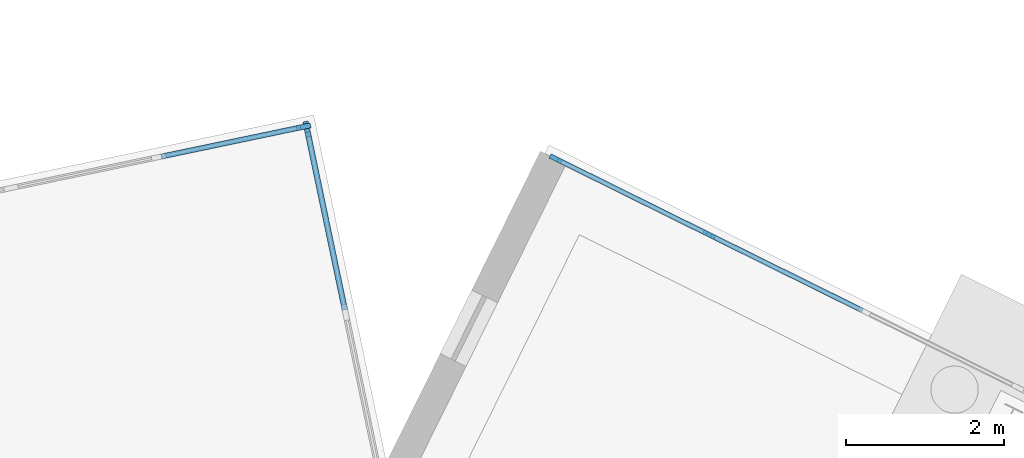
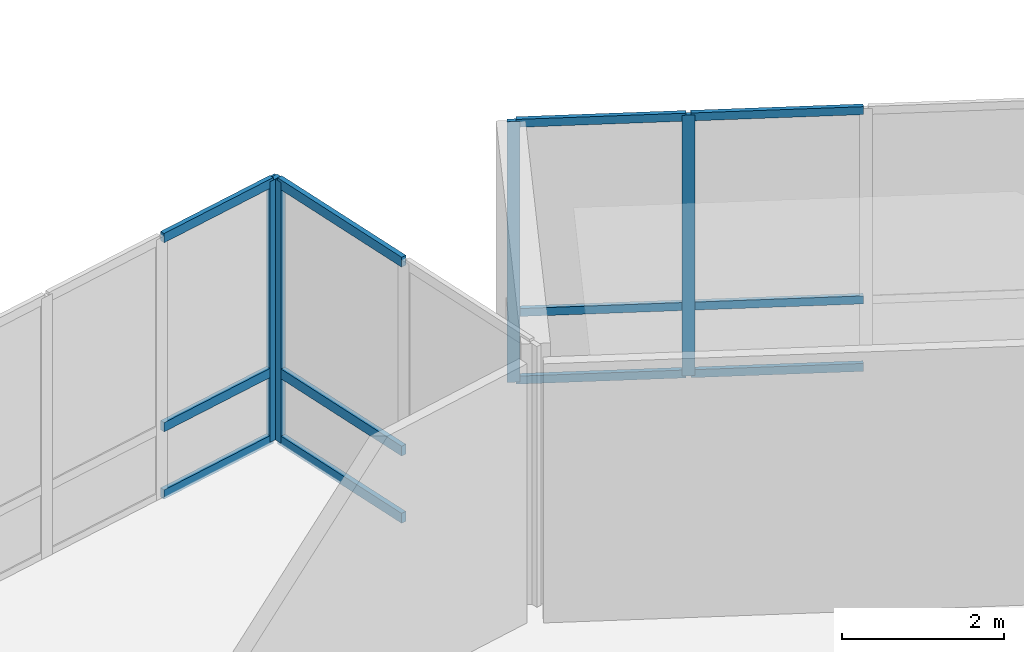
# One storey, part 50 of 113: 16 members, 3 elements without a shape of their own.
"""IFC4 building model written with IfcOpenShell, lengths in metres."""

from ifc_helpers import new_model, si_unit, direction, frame, origin, origin_2d, place, context, subcontext, project, spatial, rectangle, extrude, material, material_profile, profile_set, type_object, element, aggregate, save


model = new_model("IFC4")

# Units and contexts
model_context = context("Model", 3, precision=1e-05, world=origin(), true_north=direction((0.0, 1.0)))
body_context = subcontext(model_context, "Body", "Model", "MODEL_VIEW")
ifc_project = project(units=[si_unit("LENGTHUNIT", "METRE"), si_unit("AREAUNIT", "SQUARE_METRE"), si_unit("VOLUMEUNIT", "CUBIC_METRE"), si_unit("PLANEANGLEUNIT", "RADIAN"), si_unit("MASSUNIT", "GRAM", prefix="KILO")], contexts=[model_context])

# Site, building, storey
site_placement = place(None, origin())
site = spatial("IfcSite", under=ifc_project, at=site_placement, CompositionType="ELEMENT")
building_placement = place(site_placement, origin())
building = spatial("IfcBuilding", under=site, at=building_placement, Name="Wrenclough Park School", CompositionType="ELEMENT")
storey_placement = place(building_placement, origin())
storey = spatial("IfcBuildingStorey", under=building, at=storey_placement, Name="L00", CompositionType="ELEMENT", Elevation=0.0)

# Curtain wall, members
ifc_material_1 = material(Name="Thermally broken aluminium and low-e glass curtain wall", Category="aluminium")
curtain_wall_type_1 = type_object("IfcCurtainWallType", Name="ENV-CW-03", PredefinedType="USERDEFINED", material=ifc_material_1)
curtain_wall_1_placement = place(storey_placement, origin())
curtain_wall_1 = element("IfcCurtainWall", 1, at=curtain_wall_1_placement, inside=storey, type_object=curtain_wall_type_1, Name="L00 recessed curtain wall assembly 018", ObjectType="CURTAIN WALL", PredefinedType="USERDEFINED")
ifc_material_2 = material(Name="Thermally broken anodised aluminium", Category="aluminium")
ifc_material_profile_1 = material_profile(ifc_material_2, rectangle(XDim=0.06005859375, YDim=0.159912109375, at=origin_2d()), Name="AL MULLION 60x160")
ifc_profile_set_1 = profile_set([ifc_material_profile_1], Name="Thermally broken anodised aluminium")
member_type_1 = type_object("IfcMemberType", Name="ENV-CWM-1", PredefinedType="MULLION", material=ifc_profile_set_1)
member_1_placement = place(storey_placement, frame((128.125, 121.44677734375, 0.0), z_axis=(0.0, 0.0, 1.0), x_axis=(0.443511318294, 0.896268771377, 0.0)))
member_1 = element("IfcMember", 2, at=member_1_placement, type_object=member_type_1, Name="CW-03 mullion 1", PredefinedType="MULLION", context=body_context, shape_type="SweptSolid", body=[
    extrude(rectangle(XDim=0.06005859375, YDim=0.159912109375, at=origin_2d()), origin(), (0.0, 0.0, 1.0), 3.93994140625),
])
member_2_placement = place(storey_placement, frame((130.069091796875, 120.48486328125, 0.0), z_axis=(0.0, 0.0, 1.0), x_axis=(0.443511318294, 0.896268771377, 0.0)))
member_2 = element("IfcMember", 3, at=member_2_placement, type_object=member_type_1, Name="CW-03 mullion 2", PredefinedType="MULLION", context=body_context, shape_type="SweptSolid", body=[
    extrude(rectangle(XDim=0.06005859375, YDim=0.159912109375, at=origin_2d()), origin(), (0.0, 0.0, 1.0), 3.93994140625),
])

# Curtain wall, member
curtain_wall_type_2 = type_object("IfcCurtainWallType", Name="ENV-CW-01", PredefinedType="USERDEFINED", material=ifc_material_1)
curtain_wall_2_placement = place(storey_placement, origin())
curtain_wall_2 = element("IfcCurtainWall", 4, at=curtain_wall_2_placement, inside=storey, type_object=curtain_wall_type_2, Name="L00 recessed curtain wall assembly 016", ObjectType="CURTAIN WALL", PredefinedType="USERDEFINED")
ifc_material_profile_2 = material_profile(ifc_material_2, rectangle(XDim=0.06494140625, YDim=0.179931640625, at=origin_2d()), Name="AL MULLION 65x180")
ifc_profile_set_2 = profile_set([ifc_material_profile_2], Name="Thermally broken anodised aluminium")
member_type_2 = type_object("IfcMemberType", Name="ENV-CWM-2", PredefinedType="MULLION", material=ifc_profile_set_2)
member_3_placement = place(storey_placement, frame((124.928955078125, 121.852783203125, 0.0), z_axis=(0.0, 0.0, 1.0), x_axis=(-0.204871023923, 0.978788978052, 0.0)))
member_3 = element("IfcMember", 5, at=member_3_placement, type_object=member_type_2, Name="CW-01 mullion 5", PredefinedType="MULLION", context=body_context, shape_type="SweptSolid", body=[
    extrude(rectangle(XDim=0.06494140625, YDim=0.179931640625, at=origin_2d()), origin(), (0.0, 0.0, 1.0), 3.93994140625),
])

curtain_wall_type_3 = type_object("IfcCurtainWallType", Name="ENV-CW-02", PredefinedType="USERDEFINED", material=ifc_material_1)
curtain_wall_3_placement = place(storey_placement, origin())
curtain_wall_3 = element("IfcCurtainWall", 6, at=curtain_wall_3_placement, inside=storey, type_object=curtain_wall_type_3, Name="L00 recessed curtain wall assembly 017", ObjectType="CURTAIN WALL", PredefinedType="USERDEFINED")
ifc_material_profile_3 = material_profile(ifc_material_2, rectangle(XDim=0.070068359375, YDim=0.199951171875, at=origin_2d()), Name="AL MULLION 70x200")
ifc_profile_set_3 = profile_set([ifc_material_profile_3], Name="Thermally broken anodised aluminium")
member_type_3 = type_object("IfcMemberType", Name="ENV-CWM-3", PredefinedType="MULLION", material=ifc_profile_set_3)
member_4_placement = place(storey_placement, frame((124.97265625, 121.822021484375, 0.0), z_axis=(0.0, 0.0, 1.0), x_axis=(0.978788883451, 0.20487147589, 0.0)))
member_4 = element("IfcMember", 7, at=member_4_placement, type_object=member_type_3, Name="CW-02 mullion 1", PredefinedType="MULLION", context=body_context, shape_type="SweptSolid", body=[
    extrude(rectangle(XDim=0.070068359375, YDim=0.199951171875, at=origin_2d()), origin(), (0.0, 0.0, 1.0), 3.93994140625),
])

# Member
ifc_material_profile_4 = material_profile(ifc_material_2, rectangle(XDim=0.06005859375, YDim=0.1201171875, at=origin_2d()), Name="AL TRANSOM 60x120")
ifc_profile_set_4 = profile_set([ifc_material_profile_4], Name="Thermally broken anodised aluminium")
member_type_4 = type_object("IfcMemberType", Name="ENV-CWT-1", PredefinedType="USERDEFINED", material=ifc_profile_set_4)
member_5_placement = place(storey_placement, frame((128.15185546875, 121.43359375, 0.030029296875), z_axis=(0.896294566323, -0.443459186825, 0.0), x_axis=(0.443459186825, 0.896294566323, 0.0)))
member_5 = element("IfcMember", 8, at=member_5_placement, type_object=member_type_4, Name="CW-03 transom 1.1", ObjectType="TRANSOM", PredefinedType="USERDEFINED", context=body_context, shape_type="SweptSolid", body=[
    extrude(rectangle(XDim=0.06005859375, YDim=0.1201171875, at=origin_2d()), origin(), (0.0, 0.0, 1.0), 2.109130859375),
])

member_6_placement = place(storey_placement, frame((128.15185546875, 121.43359375, 1.050048828125), z_axis=(0.896294566323, -0.443459186825, 0.0), x_axis=(0.443459186825, 0.896294566323, 0.0)))
member_6 = element("IfcMember", 9, at=member_6_placement, type_object=member_type_4, Name="CW-03 transom 1.2", ObjectType="TRANSOM", PredefinedType="USERDEFINED", context=body_context, shape_type="SweptSolid", body=[
    extrude(rectangle(XDim=0.06005859375, YDim=0.1201171875, at=origin_2d()), origin(), (0.0, 0.0, 1.0), 2.109130859375),
])

member_7_placement = place(storey_placement, frame((128.15185546875, 121.43359375, 3.909912109375), z_axis=(0.896294566323, -0.443459186825, 0.0), x_axis=(0.443459186825, 0.896294566323, 0.0)))
member_7 = element("IfcMember", 10, at=member_7_placement, type_object=member_type_4, Name="CW-03 transom 1.3", ObjectType="TRANSOM", PredefinedType="USERDEFINED", context=body_context, shape_type="SweptSolid", body=[
    extrude(rectangle(XDim=0.06005859375, YDim=0.1201171875, at=origin_2d()), origin(), (0.0, 0.0, 1.0), 2.109130859375),
])

member_8_placement = place(storey_placement, frame((130.095947265625, 120.4716796875, 0.030029296875), z_axis=(0.896268464478, -0.44351193849, 0.0), x_axis=(0.44351193849, 0.896268464478, 0.0)))
member_8 = element("IfcMember", 11, at=member_8_placement, type_object=member_type_4, Name="CW-03 transom 2.1", ObjectType="TRANSOM", PredefinedType="USERDEFINED", context=body_context, shape_type="SweptSolid", body=[
    extrude(rectangle(XDim=0.06005859375, YDim=0.1201171875, at=origin_2d()), origin(), (0.0, 0.0, 1.0), 2.13916015625),
])

member_9_placement = place(storey_placement, frame((130.095947265625, 120.4716796875, 1.050048828125), z_axis=(0.896268464478, -0.44351193849, 0.0), x_axis=(0.44351193849, 0.896268464478, 0.0)))
member_9 = element("IfcMember", 12, at=member_9_placement, type_object=member_type_4, Name="CW-03 transom 2.2", ObjectType="TRANSOM", PredefinedType="USERDEFINED", context=body_context, shape_type="SweptSolid", body=[
    extrude(rectangle(XDim=0.06005859375, YDim=0.1201171875, at=origin_2d()), origin(), (0.0, 0.0, 1.0), 2.13916015625),
])

member_10_placement = place(storey_placement, frame((130.095947265625, 120.4716796875, 3.909912109375), z_axis=(0.896268464478, -0.44351193849, 0.0), x_axis=(0.44351193849, 0.896268464478, 0.0)))
member_10 = element("IfcMember", 13, at=member_10_placement, type_object=member_type_4, Name="CW-03 transom 2.3", ObjectType="TRANSOM", PredefinedType="USERDEFINED", context=body_context, shape_type="SweptSolid", body=[
    extrude(rectangle(XDim=0.06005859375, YDim=0.1201171875, at=origin_2d()), origin(), (0.0, 0.0, 1.0), 2.13916015625),
])

aggregate(curtain_wall_1, [member_1, member_2, member_5, member_6, member_7, member_8, member_9, member_10])

ifc_material_profile_5 = material_profile(ifc_material_2, rectangle(XDim=0.06494140625, YDim=0.139892578125, at=origin_2d()), Name="AL TRANSOM 65x140")
ifc_profile_set_5 = profile_set([ifc_material_profile_5], Name="Thermally broken anodised aluminium")
member_type_5 = type_object("IfcMemberType", Name="ENV-CWT-2", PredefinedType="USERDEFINED", material=ifc_profile_set_5)
member_11_placement = place(storey_placement, frame((123.1220703125, 121.474609375, 0.032470703125), z_axis=(0.978786230857, 0.204884148448, 0.0), x_axis=(-0.204884148448, 0.978786230857, 0.0)))
member_11 = element("IfcMember", 14, at=member_11_placement, type_object=member_type_5, Name="CW-01 transom 4.1", ObjectType="TRANSOM", PredefinedType="USERDEFINED", context=body_context, shape_type="SweptSolid", body=[
    extrude(rectangle(XDim=0.06494140625, YDim=0.139892578125, at=origin_2d()), origin(), (0.0, 0.0, 1.0), 1.813720703125),
])

member_12_placement = place(storey_placement, frame((123.1220703125, 121.474609375, 1.050048828125), z_axis=(0.978786230857, 0.204884148448, 0.0), x_axis=(-0.204884148448, 0.978786230857, 0.0)))
member_12 = element("IfcMember", 15, at=member_12_placement, type_object=member_type_5, Name="CW-01 transom 4.2", ObjectType="TRANSOM", PredefinedType="USERDEFINED", context=body_context, shape_type="SweptSolid", body=[
    extrude(rectangle(XDim=0.06494140625, YDim=0.139892578125, at=origin_2d()), origin(), (0.0, 0.0, 1.0), 1.813720703125),
])

member_13_placement = place(storey_placement, frame((123.1220703125, 121.474609375, 3.907470703125), z_axis=(0.978786230857, 0.204884148448, 0.0), x_axis=(-0.204884148448, 0.978786230857, 0.0)))
member_13 = element("IfcMember", 16, at=member_13_placement, type_object=member_type_5, Name="CW-01 transom 4.3", ObjectType="TRANSOM", PredefinedType="USERDEFINED", context=body_context, shape_type="SweptSolid", body=[
    extrude(rectangle(XDim=0.06494140625, YDim=0.139892578125, at=origin_2d()), origin(), (0.0, 0.0, 1.0), 1.813720703125),
])

aggregate(curtain_wall_2, [member_3, member_11, member_12, member_13])

ifc_material_profile_6 = material_profile(ifc_material_2, rectangle(XDim=0.070068359375, YDim=0.14990234375, at=origin_2d()), Name="AL TRANSOM 70x150")
ifc_profile_set_6 = profile_set([ifc_material_profile_6], Name="Thermally broken anodised aluminium")
member_type_6 = type_object("IfcMemberType", Name="ENV-CWT-3", PredefinedType="USERDEFINED", material=ifc_profile_set_6)
member_14_placement = place(storey_placement, frame((124.979736328125, 121.787841796875, 0.034912109375), z_axis=(0.204889117731, -0.97878519065, 0.0), x_axis=(0.97878519065, 0.204889117731, 0.0)))
member_14 = element("IfcMember", 17, at=member_14_placement, type_object=member_type_6, Name="CW-02 transom 1.1", ObjectType="TRANSOM", PredefinedType="USERDEFINED", context=body_context, shape_type="SweptSolid", body=[
    extrude(rectangle(XDim=0.070068359375, YDim=0.14990234375, at=origin_2d()), origin(), (0.0, 0.0, 1.0), 2.304443359375),
])

member_15_placement = place(storey_placement, frame((124.979736328125, 121.787841796875, 1.050048828125), z_axis=(0.204889117731, -0.97878519065, 0.0), x_axis=(0.97878519065, 0.204889117731, 0.0)))
member_15 = element("IfcMember", 18, at=member_15_placement, type_object=member_type_6, Name="CW-02 transom 1.2", ObjectType="TRANSOM", PredefinedType="USERDEFINED", context=body_context, shape_type="SweptSolid", body=[
    extrude(rectangle(XDim=0.070068359375, YDim=0.14990234375, at=origin_2d()), origin(), (0.0, 0.0, 1.0), 2.304443359375),
])

member_16_placement = place(storey_placement, frame((124.979736328125, 121.787841796875, 3.905029296875), z_axis=(0.204889117731, -0.97878519065, 0.0), x_axis=(0.97878519065, 0.204889117731, 0.0)))
member_16 = element("IfcMember", 19, at=member_16_placement, type_object=member_type_6, Name="CW-02 transom 1.3", ObjectType="TRANSOM", PredefinedType="USERDEFINED", context=body_context, shape_type="SweptSolid", body=[
    extrude(rectangle(XDim=0.070068359375, YDim=0.14990234375, at=origin_2d()), origin(), (0.0, 0.0, 1.0), 2.304443359375),
])

aggregate(curtain_wall_3, [member_4, member_14, member_15, member_16])

save(model, "model.ifc")
